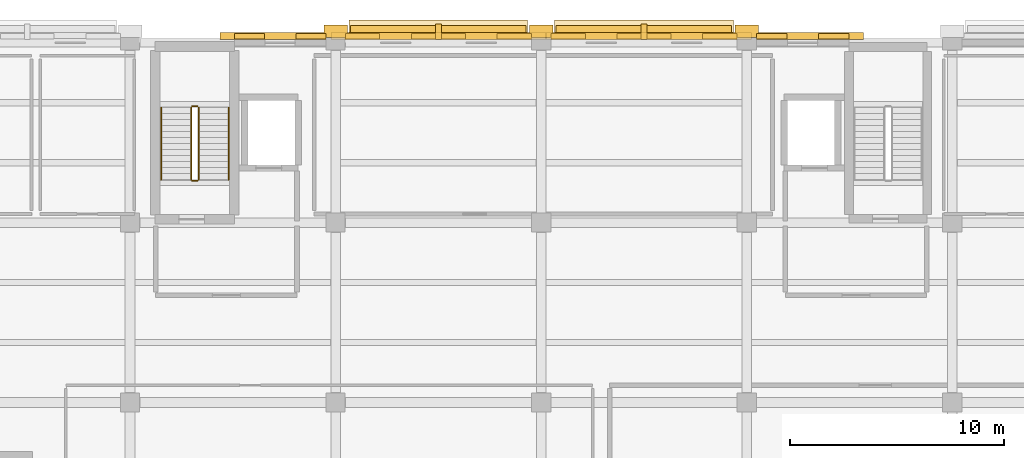
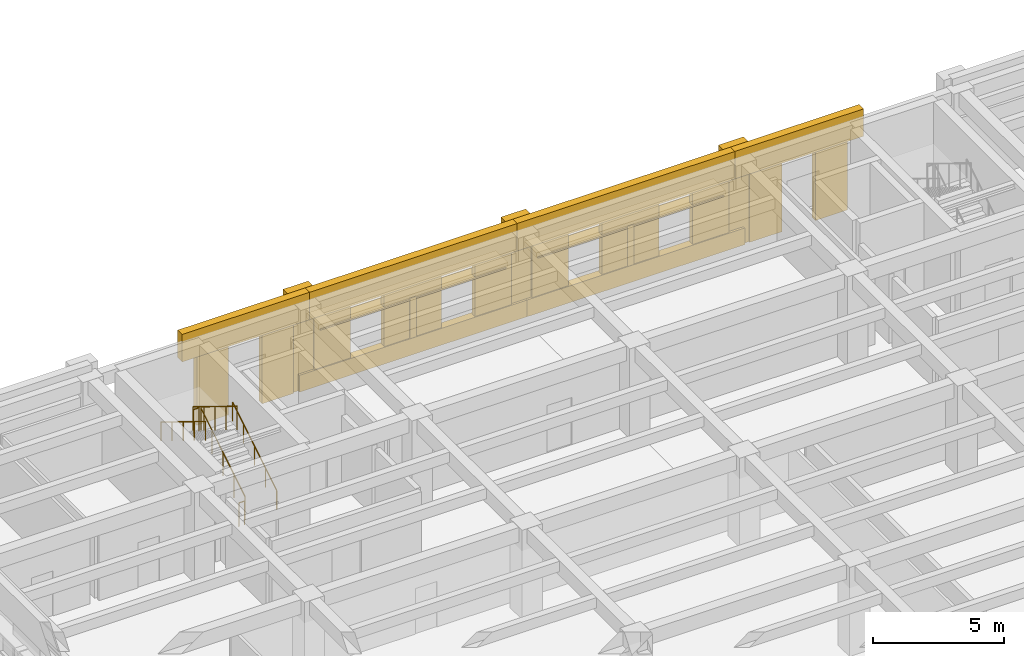
# One storey, part 46 of 49: 23 coverings, 6 railings, 2 shading devices.
"""IFC4 building model written with IfcOpenShell, lengths in metres."""

import ifcopenshell
import ifcopenshell.guid

model = None  # the IFC model being written
_history = None  # IfcOwnerHistory: only IFC2X3 demands one
_inside = {}  # id of a spatial element -> (the spatial element, [elements in it])
_under = {}  # id of a project, library or spatial element -> (it, [spatial elements below it])
_declared = {}  # id of a project -> (the project, [libraries it declares])
_typed = {}  # id of a type object -> (the type object, [elements of that type])
_made_of = {}  # id of a material, layer set ... -> (it, [elements and type objects made of it])


def new_model(schema):
    """Start an empty IFC model of exactly this schema.

    Asked for "IFC4X3", IfcOpenShell would pick the latest addendum, in which some entities
    have other attributes; the version numbers below select the first issue.
    IFC2X3 requires an IfcOwnerHistory on every rooted entity: one is made here for all.
    """
    global model, _history
    if schema == "IFC4X3":
        model = ifcopenshell.file(schema_version=(4, 3, 0, 0))
    else:
        model = ifcopenshell.file(schema=schema)
    _inside.clear()
    _under.clear()
    _declared.clear()
    _typed.clear()
    _made_of.clear()
    _history = None
    if model.schema == "IFC2X3":
        org = make("IfcOrganization", Name="unknown")
        user = make(
            "IfcPersonAndOrganization",
            ThePerson=make("IfcPerson", FamilyName="unknown"),
            TheOrganization=org,
        )
        app = make(
            "IfcApplication",
            ApplicationDeveloper=org,
            Version="unknown",
            ApplicationFullName="unknown",
            ApplicationIdentifier="unknown",
        )
        _history = make(
            "IfcOwnerHistory",
            OwningUser=user,
            OwningApplication=app,
            ChangeAction="ADDED",
            CreationDate=0,
        )
    return model


def make(cls, **values):
    """One entity of the class cls with the attributes given. An attribute that is None is left unset."""
    return model.create_entity(
        cls, **{name: value for name, value in values.items() if value is not None}
    )


def rooted(cls, **values):
    """An entity with a GlobalId (a new one), such as an element, a storey or a relation."""
    return make(cls, GlobalId=ifcopenshell.guid.new(), OwnerHistory=_history, **values)


def si_unit(unit_type, name, prefix=None):
    """IfcSIUnit, for example si_unit("LENGTHUNIT", "METRE", prefix="MILLI")."""
    return make("IfcSIUnit", UnitType=unit_type, Prefix=prefix, Name=name)


def assignment(units):
    """IfcUnitAssignment: the units of a project."""
    return None if units is None else make("IfcUnitAssignment", Units=units)


def point(xyz):
    """IfcCartesianPoint."""
    return None if xyz is None else make("IfcCartesianPoint", Coordinates=xyz)


def direction(xyz):
    """IfcDirection."""
    return None if xyz is None else make("IfcDirection", DirectionRatios=xyz)


def frame(location, z_axis=None, x_axis=None):
    """IfcAxis2Placement3D, a coordinate frame: its origin and axes. An axis left out is left unset."""
    return make(
        "IfcAxis2Placement3D",
        Location=point(location),
        Axis=direction(z_axis),
        RefDirection=direction(x_axis),
    )


def frame_2d(location, x_axis=None):
    """IfcAxis2Placement2D, a coordinate frame in the plane: its origin and x axis."""
    return make(
        "IfcAxis2Placement2D", Location=point(location), RefDirection=direction(x_axis)
    )


def origin():
    """The frame at (0, 0, 0) with its axes left unset."""
    return frame((0.0, 0.0, 0.0))


def origin_2d():
    """The frame at (0, 0) in the plane with its x axis left unset."""
    return frame_2d((0.0, 0.0))


def place(relative_to, where):
    """IfcLocalPlacement: puts the frame where relative to a parent placement (None: the world)."""
    return make(
        "IfcLocalPlacement", PlacementRelTo=relative_to, RelativePlacement=where
    )


def context(
    kind, dimensions, precision=None, world=None, true_north=None, identifier=None
):
    """IfcGeometricRepresentationContext, for example the 3D "Model" context."""
    return make(
        "IfcGeometricRepresentationContext",
        ContextIdentifier=identifier,
        ContextType=kind,
        CoordinateSpaceDimension=dimensions,
        Precision=precision,
        WorldCoordinateSystem=world,
        TrueNorth=true_north,
    )


def subcontext(parent, identifier, kind, view, scale=None):
    """IfcGeometricRepresentationSubContext, for example "Body" below "Model"."""
    return make(
        "IfcGeometricRepresentationSubContext",
        ContextIdentifier=identifier,
        ContextType=kind,
        ParentContext=parent,
        TargetScale=scale,
        TargetView=view,
    )


def project(units=None, contexts=None):
    """IfcProject with its units and contexts."""
    return rooted(
        "IfcProject",
        Name="project",
        RepresentationContexts=contexts,
        UnitsInContext=assignment(units),
    )


def spatial(cls, under=None, at=None, **own):
    """A site, building, storey or space (cls), placed at a placement, below another one or the project."""
    s = rooted(cls, ObjectPlacement=at, **own)
    if under is not None:
        _under.setdefault(under.id(), (under, []))[1].append(s)
    return s


def profile(cls, at=None, kind="AREA", **sizes):
    """A parametric profile (cls). Its sizes go by their IFC names, for example OverallWidth=200.0."""
    return make(cls, ProfileType=kind, Position=at, **sizes)


def rectangle(**sizes):
    """IfcRectangleProfileDef."""
    return profile("IfcRectangleProfileDef", **sizes)


def circle(**sizes):
    """IfcCircleProfileDef."""
    return profile("IfcCircleProfileDef", **sizes)


def extrude(swept, where, along, depth):
    """IfcExtrudedAreaSolid: the profile swept, set in the frame where, extruded along a direction by depth."""
    return make(
        "IfcExtrudedAreaSolid",
        SweptArea=swept,
        Position=where,
        ExtrudedDirection=direction(along),
        Depth=depth,
    )


def shape(context_of_items, identifier, shape_type, items):
    """IfcShapeRepresentation: the items that make up one representation, for example the "Body"."""
    return make(
        "IfcShapeRepresentation",
        ContextOfItems=context_of_items,
        RepresentationIdentifier=identifier,
        RepresentationType=shape_type,
        Items=items,
    )


def material(Name=None, Category=None):
    """IfcMaterial."""
    return make("IfcMaterial", Name=Name, Category=Category)


def layer(
    of_material, thickness, ventilated=None, Name=None, Category=None, Priority=None
):
    """IfcMaterialLayer: one layer of a wall or slab, of a material (None: an air gap)."""
    return make(
        "IfcMaterialLayer",
        Material=of_material,
        LayerThickness=thickness,
        IsVentilated=ventilated,
        Name=Name,
        Category=Category,
        Priority=Priority,
    )


def layer_set(layers, Name=None):
    """IfcMaterialLayerSet."""
    return make("IfcMaterialLayerSet", MaterialLayers=layers, LayerSetName=Name)


def made_of(thing, what):
    """Note that an element or type object is made of a material, layer set ...; save() writes the relation."""
    if what is not None:
        _made_of.setdefault(what.id(), (what, []))[1].append(thing)
    return thing


def type_object(cls, material=None, **own):
    """A type object (cls), such as IfcWallType, which elements share."""
    return made_of(rooted(cls, **own), material)


def element(
    cls,
    number,
    at=None,
    inside=None,
    cuts=None,
    type_object=None,
    material=None,
    context=None,
    identifier="Body",
    shape_type=None,
    held_by="IfcProductDefinitionShape",
    body=None,
    shapes=None,
    **own,
):
    """One element of the class cls, such as IfcWall. Its Tag is "e" and its number.

    at: its placement. inside: the storey or other place that contains it. cuts: it is an
    opening in that element (IfcRelVoidsElement). A single representation is given by context,
    identifier, shape_type and body (its items); several are given by shapes. held_by: the class
    of the entity that holds the representations. save() writes the other relations.
    """
    e = rooted(cls, Tag="e%d" % number, ObjectPlacement=at, **own)
    if body is not None:
        shapes = [shape(context, identifier, shape_type, body)]
    if shapes is not None:
        e.Representation = make(held_by, Representations=shapes)
    if inside is not None:
        _inside.setdefault(inside.id(), (inside, []))[1].append(e)
    if cuts is not None:
        rooted(
            "IfcRelVoidsElement", RelatingBuildingElement=cuts, RelatedOpeningElement=e
        )
    if type_object is not None:
        _typed.setdefault(type_object.id(), (type_object, []))[1].append(e)
    return made_of(e, material)


def aggregate(whole, parts):
    """IfcRelAggregates: a whole, such as a stair, and the parts it consists of."""
    return rooted("IfcRelAggregates", RelatingObject=whole, RelatedObjects=parts)


def save(model, path):
    """Write the relations noted so far, then the file.

    IfcRelAggregates (storeys below a building ...), IfcRelContainedInSpatialStructure (elements
    in a storey), IfcRelDefinesByType, IfcRelAssociatesMaterial and IfcRelDeclares: one each for
    every whole, place, type object, material and project.
    """
    for whole, parts in _under.values():
        aggregate(whole, parts)
    for where, things in _inside.values():
        rooted(
            "IfcRelContainedInSpatialStructure",
            RelatedElements=things,
            RelatingStructure=where,
        )
    for kind, things in _typed.values():
        rooted("IfcRelDefinesByType", RelatedObjects=things, RelatingType=kind)
    for what, things in _made_of.values():
        rooted("IfcRelAssociatesMaterial", RelatedObjects=things, RelatingMaterial=what)
    for by, libraries in _declared.values():
        rooted("IfcRelDeclares", RelatingContext=by, RelatedDefinitions=libraries)
    model.write(path)


model = new_model("IFC4")

# Units and contexts
model_context = context("Model", 3, precision=1e-05, world=origin(), true_north=direction((0.0, 1.0)))
body_context = subcontext(model_context, "Body", "Model", "MODEL_VIEW")
ifc_project = project(units=[si_unit("LENGTHUNIT", "METRE"), si_unit("AREAUNIT", "SQUARE_METRE"), si_unit("VOLUMEUNIT", "CUBIC_METRE"), si_unit("PLANEANGLEUNIT", "RADIAN"), si_unit("MASSUNIT", "GRAM", prefix="KILO")], contexts=[model_context])

# Site, building, storey
site_placement = place(None, origin())
site = spatial("IfcSite", under=ifc_project, at=site_placement, CompositionType="ELEMENT")
building_placement = place(site_placement, origin())
building = spatial("IfcBuilding", under=site, at=building_placement, Name="Bempovik Park Faculty of Sciences", CompositionType="ELEMENT")
storey_placement = place(building_placement, frame((0.0, 0.0, 5.39990234375)))
storey = spatial("IfcBuildingStorey", under=building, at=storey_placement, Name="L01", CompositionType="ELEMENT", Elevation=5.39990234375)

# Coverings
ifc_material_1 = material(Name="Precast concrete C40/50", Category="concrete")
ifc_layer_1 = layer(ifc_material_1, 0.179931640625)
ifc_layer_set_1 = layer_set([ifc_layer_1], Name="Precast concrete C40/50")
covering_type_1 = type_object("IfcCoveringType", Name="CL-02 Classical Cornice Band 180mm", PredefinedType="CLADDING", material=ifc_layer_set_1)
for number, where, z_axis, x_axis, name in (
    (1, (84.0, 120.0, 2.6103515625), (0.0, 0.0, 1.0), (1.0, 0.0, 0.0), "L01 Classical Stone Solar Window Hood EW-L01-6685"),
    (2, (93.60009765625, 120.0, 2.6103515625), (0.0, 0.0, 1.0), (1.0, 0.0, 0.0), "L01 Classical Stone Solar Window Hood EW-L01-6697"),
):
    element("IfcCovering", number, at=place(storey_placement, frame(where, z_axis=z_axis, x_axis=x_axis)), inside=storey, type_object=covering_type_1, Name=name, PredefinedType="CLADDING", context=body_context, shape_type="SweptSolid", body=[
        extrude(rectangle(XDim=8.345947265625, YDim=0.919921875, at=origin_2d()), origin(), (0.0, 0.0, 1.0), 0.219970703125),
    ])
ifc_material_2 = material(Name="White reconstituted limestone precast C40/50", Category="masonry")
ifc_layer_2 = layer(ifc_material_2, 0.239990234375)
ifc_layer_set_2 = layer_set([ifc_layer_2], Name="White reconstituted limestone precast C40/50")
covering_type_2 = type_object("IfcCoveringType", Name="CL-03 Classical Fluted Limestone Pilaster 240mm", PredefinedType="CLADDING", material=ifc_layer_set_2)
covering_1_placement = place(storey_placement, frame((76.612060546875, 119.7099609375, 3.22021484375), z_axis=(0.0, 0.0, 1.0), x_axis=(1.0, 0.0, 0.0)))
element("IfcCovering", 3, at=covering_1_placement, inside=storey, type_object=covering_type_2, Name="L01 Classical Limestone Spandrel Entablature EW-L01-6679", PredefinedType="CLADDING", context=body_context, shape_type="SweptSolid", body=[
    extrude(rectangle(XDim=5.6220703125, YDim=0.340087890625, at=origin_2d()), origin(), (0.0, 0.0, 1.0), 1.280029296875),
])
covering_2_placement = place(storey_placement, frame((79.199951171875, 119.929931640625, 0.0), z_axis=(0.0, 0.0, 1.0), x_axis=(1.0, 0.0, 0.0)))
element("IfcCovering", 4, at=covering_2_placement, inside=storey, type_object=covering_type_2, Name="L01 Classical Fluted Stone Pilaster PIL-BA-L01-792-1199", PredefinedType="CLADDING", context=body_context, shape_type="SweptSolid", body=[
    extrude(rectangle(XDim=1.10009765625, YDim=0.580078125, at=origin_2d()), origin(), (0.0, 0.0, 1.0), 4.5),
])
for number, where, z_axis, x_axis, name in (
    (5, (75.174072265625, 119.699951171875, 0.000244140625), (0.0, 0.0, 1.0), (1.0, 0.0, 0.0), "L01 Stairwell White Limestone Cheek EW-L01-6679-1"),
    (6, (78.050048828125, 119.699951171875, 0.000244140625), (0.0, 0.0, 1.0), (1.0, 0.0, 0.0), "L01 Stairwell White Limestone Cheek EW-L01-6679-2"),
):
    element("IfcCovering", number, at=place(storey_placement, frame(where, z_axis=z_axis, x_axis=x_axis)), inside=storey, type_object=covering_type_2, Name=name, PredefinedType="CLADDING", context=body_context, shape_type="SweptSolid", body=[
        extrude(rectangle(XDim=1.39599609375, YDim=0.239990234375, at=origin_2d()), origin(), (0.0, 0.0, 1.0), 3.3798828125),
    ])
covering_3_placement = place(storey_placement, frame((84.0, 119.7099609375, 3.22021484375), z_axis=(0.0, 0.0, 1.0), x_axis=(1.0, 0.0, 0.0)))
element("IfcCovering", 7, at=covering_3_placement, inside=storey, type_object=covering_type_2, Name="L01 Classical Limestone Spandrel Entablature EW-L01-6685", PredefinedType="CLADDING", context=body_context, shape_type="SweptSolid", body=[
    extrude(rectangle(XDim=10.0458984375, YDim=0.340087890625, at=origin_2d()), origin(), (0.0, 0.0, 1.0), 1.280029296875),
])
covering_4_placement = place(storey_placement, frame((84.0, 119.7099609375, 0.0), z_axis=(0.0, 0.0, 1.0), x_axis=(1.0, 0.0, 0.0)))
element("IfcCovering", 8, at=covering_4_placement, inside=storey, type_object=covering_type_2, Name="L01 Classical Limestone Sill Dado EW-L01-6685", PredefinedType="CLADDING", context=body_context, shape_type="SweptSolid", body=[
    extrude(rectangle(XDim=10.0458984375, YDim=0.340087890625, at=origin_2d()), origin(), (0.0, 0.0, 1.0), 0.780029296875),
])
covering_5_placement = place(storey_placement, frame((88.800048828125, 119.929931640625, 0.0), z_axis=(0.0, 0.0, 1.0), x_axis=(1.0, 0.0, 0.0)))
element("IfcCovering", 9, at=covering_5_placement, inside=storey, type_object=covering_type_2, Name="L01 Classical Fluted Stone Pilaster PIL-BA-L01-888-1199", PredefinedType="CLADDING", context=body_context, shape_type="SweptSolid", body=[
    extrude(rectangle(XDim=1.10009765625, YDim=0.580078125, at=origin_2d()), origin(), (0.0, 0.0, 1.0), 4.5),
])
covering_6_placement = place(storey_placement, frame((80.4560546875, 119.699951171875, 0.000244140625), z_axis=(0.0, 0.0, 1.0), x_axis=(1.0, 0.0, 0.0)))
element("IfcCovering", 10, at=covering_6_placement, inside=storey, type_object=covering_type_2, Name="L01 White Limestone Wall Cheek EW-L01-6685-0", PredefinedType="CLADDING", context=body_context, shape_type="SweptSolid", body=[
    extrude(rectangle(XDim=1.60791015625, YDim=0.239990234375, at=origin_2d()), origin(), (0.0, 0.0, 1.0), 3.3798828125),
])
covering_7_placement = place(storey_placement, frame((84.0, 119.699951171875, 0.000244140625), z_axis=(0.0, 0.0, 1.0), x_axis=(1.0, 0.0, 0.0)))
element("IfcCovering", 11, at=covering_7_placement, inside=storey, type_object=covering_type_2, Name="L01 White Limestone Wall Cheek EW-L01-6685-2", PredefinedType="CLADDING", context=body_context, shape_type="SweptSolid", body=[
    extrude(rectangle(XDim=2.520263671875, YDim=0.239990234375, at=origin_2d()), origin(), (0.0, 0.0, 1.0), 3.3798828125),
])
covering_8_placement = place(storey_placement, frame((87.5439453125, 119.699951171875, 0.000244140625), z_axis=(0.0, 0.0, 1.0), x_axis=(1.0, 0.0, 0.0)))
element("IfcCovering", 12, at=covering_8_placement, inside=storey, type_object=covering_type_2, Name="L01 White Limestone Wall Cheek EW-L01-6685-4", PredefinedType="CLADDING", context=body_context, shape_type="SweptSolid", body=[
    extrude(rectangle(XDim=1.60791015625, YDim=0.239990234375, at=origin_2d()), origin(), (0.0, 0.0, 1.0), 3.3798828125),
])
covering_9_placement = place(storey_placement, frame((84.0, 119.909912109375, 0.7001953125), z_axis=(0.0, 0.0, 1.0), x_axis=(1.0, 0.0, 0.0)))
element("IfcCovering", 13, at=covering_9_placement, inside=storey, type_object=covering_type_2, Name="L01 Classical Vertical Stone Shading Fin EW-L01-6685", PredefinedType="CLADDING", context=body_context, shape_type="SweptSolid", body=[
    extrude(rectangle(XDim=0.280029296875, YDim=0.719970703125, at=origin_2d()), origin(), (0.0, 0.0, 1.0), 1.949951171875),
])
covering_10_placement = place(storey_placement, frame((93.60009765625, 119.7099609375, 3.22021484375), z_axis=(0.0, 0.0, 1.0), x_axis=(1.0, 0.0, 0.0)))
element("IfcCovering", 14, at=covering_10_placement, inside=storey, type_object=covering_type_2, Name="L01 Classical Limestone Spandrel Entablature EW-L01-6697", PredefinedType="CLADDING", context=body_context, shape_type="SweptSolid", body=[
    extrude(rectangle(XDim=10.0458984375, YDim=0.340087890625, at=origin_2d()), origin(), (0.0, 0.0, 1.0), 1.280029296875),
])
covering_11_placement = place(storey_placement, frame((93.60009765625, 119.7099609375, 0.0), z_axis=(0.0, 0.0, 1.0), x_axis=(1.0, 0.0, 0.0)))
element("IfcCovering", 15, at=covering_11_placement, inside=storey, type_object=covering_type_2, Name="L01 Classical Limestone Sill Dado EW-L01-6697", PredefinedType="CLADDING", context=body_context, shape_type="SweptSolid", body=[
    extrude(rectangle(XDim=10.0458984375, YDim=0.340087890625, at=origin_2d()), origin(), (0.0, 0.0, 1.0), 0.780029296875),
])
covering_12_placement = place(storey_placement, frame((98.39990234375, 119.929931640625, 0.0), z_axis=(0.0, 0.0, 1.0), x_axis=(1.0, 0.0, 0.0)))
element("IfcCovering", 16, at=covering_12_placement, inside=storey, type_object=covering_type_2, Name="L01 Classical Fluted Stone Pilaster PIL-BA-L01-984-1199", PredefinedType="CLADDING", context=body_context, shape_type="SweptSolid", body=[
    extrude(rectangle(XDim=1.10009765625, YDim=0.580078125, at=origin_2d()), origin(), (0.0, 0.0, 1.0), 4.5),
])
covering_13_placement = place(storey_placement, frame((90.055908203125, 119.699951171875, 0.000244140625), z_axis=(0.0, 0.0, 1.0), x_axis=(1.0, 0.0, 0.0)))
element("IfcCovering", 17, at=covering_13_placement, inside=storey, type_object=covering_type_2, Name="L01 White Limestone Wall Cheek EW-L01-6697-0", PredefinedType="CLADDING", context=body_context, shape_type="SweptSolid", body=[
    extrude(rectangle(XDim=1.60791015625, YDim=0.239990234375, at=origin_2d()), origin(), (0.0, 0.0, 1.0), 3.3798828125),
])
covering_14_placement = place(storey_placement, frame((93.60009765625, 119.699951171875, 0.000244140625), z_axis=(0.0, 0.0, 1.0), x_axis=(1.0, 0.0, 0.0)))
element("IfcCovering", 18, at=covering_14_placement, inside=storey, type_object=covering_type_2, Name="L01 White Limestone Wall Cheek EW-L01-6697-2", PredefinedType="CLADDING", context=body_context, shape_type="SweptSolid", body=[
    extrude(rectangle(XDim=2.520263671875, YDim=0.239990234375, at=origin_2d()), origin(), (0.0, 0.0, 1.0), 3.3798828125),
])
covering_15_placement = place(storey_placement, frame((97.14404296875, 119.699951171875, 0.000244140625), z_axis=(0.0, 0.0, 1.0), x_axis=(1.0, 0.0, 0.0)))
element("IfcCovering", 19, at=covering_15_placement, inside=storey, type_object=covering_type_2, Name="L01 White Limestone Wall Cheek EW-L01-6697-4", PredefinedType="CLADDING", context=body_context, shape_type="SweptSolid", body=[
    extrude(rectangle(XDim=1.60791015625, YDim=0.239990234375, at=origin_2d()), origin(), (0.0, 0.0, 1.0), 3.3798828125),
])
covering_16_placement = place(storey_placement, frame((93.60009765625, 119.909912109375, 0.7001953125), z_axis=(0.0, 0.0, 1.0), x_axis=(1.0, 0.0, 0.0)))
element("IfcCovering", 20, at=covering_16_placement, inside=storey, type_object=covering_type_2, Name="L01 Classical Vertical Stone Shading Fin EW-L01-6697", PredefinedType="CLADDING", context=body_context, shape_type="SweptSolid", body=[
    extrude(rectangle(XDim=0.280029296875, YDim=0.719970703125, at=origin_2d()), origin(), (0.0, 0.0, 1.0), 1.949951171875),
])
covering_17_placement = place(storey_placement, frame((101.012939453125, 119.7099609375, 3.22021484375), z_axis=(0.0, 0.0, 1.0), x_axis=(1.0, 0.0, 0.0)))
element("IfcCovering", 21, at=covering_17_placement, inside=storey, type_object=covering_type_2, Name="L01 Classical Limestone Spandrel Entablature EW-L01-6709", PredefinedType="CLADDING", context=body_context, shape_type="SweptSolid", body=[
    extrude(rectangle(XDim=5.672119140625, YDim=0.340087890625, at=origin_2d()), origin(), (0.0, 0.0, 1.0), 1.280029296875),
])
for number, where, z_axis, x_axis, name in (
    (22, (99.5625, 119.699951171875, 0.000244140625), (0.0, 0.0, 1.0), (1.0, 0.0, 0.0), "L01 Stairwell White Limestone Cheek EW-L01-6709-1"),
    (23, (102.46337890625, 119.699951171875, 0.000244140625), (0.0, 0.0, 1.0), (1.0, 0.0, 0.0), "L01 Stairwell White Limestone Cheek EW-L01-6709-2"),
):
    element("IfcCovering", number, at=place(storey_placement, frame(where, z_axis=z_axis, x_axis=x_axis)), inside=storey, type_object=covering_type_2, Name=name, PredefinedType="CLADDING", context=body_context, shape_type="SweptSolid", body=[
        extrude(rectangle(XDim=1.4208984375, YDim=0.239990234375, at=origin_2d()), origin(), (0.0, 0.0, 1.0), 3.3798828125),
    ])

# Railings
ifc_material_3 = material(Name="Anodised architectural bronze")
railing_type_1 = type_object("IfcRailingType", Name="GR-01 Guardrail 1120mm", PredefinedType="GUARDRAIL", material=ifc_material_3)
railing_1_placement = place(storey_placement, frame((72.800048828125, 113.0, 0.173095703125)))
element("IfcRailing", 24, at=railing_1_placement, inside=storey, type_object=railing_type_1, Name="L01 ST-1 Stair Guard 1", PredefinedType="GUARDRAIL", context=body_context, shape_type="SweptSolid", body=[
    extrude(circle(Radius=0.02392578125, at=origin_2d()), frame((0.0, 0.0, 1.09619140625), z_axis=(0.0, 0.851660431972, 0.524093988338), x_axis=(-1.0, 0.0, 0.0)), (0.0, 0.0, 1.0), 3.962890625),
    extrude(circle(Radius=0.02099609375, at=origin_2d()), origin(), (0.0, 0.0, 1.0), 1.072021484375),
    extrude(circle(Radius=0.02099609375, at=origin_2d()), frame((0.0, 0.84375, 0.519287109375)), (0.0, 0.0, 1.0), 1.072021484375),
    extrude(circle(Radius=0.02099609375, at=origin_2d()), frame((0.0, 1.6875, 1.03857421875)), (0.0, 0.0, 1.0), 1.072021484375),
    extrude(circle(Radius=0.02099609375, at=origin_2d()), frame((0.0, 2.53125, 1.5576171875)), (0.0, 0.0, 1.0), 1.072021484375),
    extrude(circle(Radius=0.02099609375, at=origin_2d()), frame((0.0, 3.375, 2.076904296875)), (0.0, 0.0, 1.0), 1.072021484375),
])
railing_2_placement = place(storey_placement, frame((72.75, 116.425048828125, 2.25)))
element("IfcRailing", 25, at=railing_2_placement, inside=storey, type_object=railing_type_1, Name="L01 ST-1 Stair Guard 2", PredefinedType="GUARDRAIL", context=body_context, shape_type="SweptSolid", body=[
    extrude(circle(Radius=0.02392578125, at=origin_2d()), frame((0.0, 0.0, 1.09619140625), z_axis=(-1.0, 0.0, 0.0), x_axis=(0.0, -1.0, 0.0)), (0.0, 0.0, 1.0), 0.25),
    extrude(circle(Radius=0.02099609375, at=origin_2d()), origin(), (0.0, 0.0, 1.0), 1.072021484375),
    extrude(circle(Radius=0.02099609375, at=origin_2d()), frame((-0.25, 0.0, 0.0)), (0.0, 0.0, 1.0), 1.072021484375),
])
railing_3_placement = place(storey_placement, frame((72.449951171875, 116.375, 2.423095703125)))
element("IfcRailing", 26, at=railing_3_placement, inside=storey, type_object=railing_type_1, Name="L01 ST-1 Stair Guard 3", PredefinedType="GUARDRAIL", context=body_context, shape_type="SweptSolid", body=[
    extrude(circle(Radius=0.02392578125, at=origin_2d()), frame((0.0, 0.0, 1.09619140625), z_axis=(0.0, -0.851660431972, 0.524093988338), x_axis=(1.0, 0.0, 0.0)), (0.0, 0.0, 1.0), 3.962890625),
    extrude(circle(Radius=0.02099609375, at=origin_2d()), origin(), (0.0, 0.0, 1.0), 1.072021484375),
    extrude(circle(Radius=0.02099609375, at=origin_2d()), frame((0.0, -0.84375, 0.519287109375)), (0.0, 0.0, 1.0), 1.072021484375),
    extrude(circle(Radius=0.02099609375, at=origin_2d()), frame((0.0, -1.6875, 1.03857421875)), (0.0, 0.0, 1.0), 1.072021484375),
    extrude(circle(Radius=0.02099609375, at=origin_2d()), frame((0.0, -2.53125, 1.5576171875)), (0.0, 0.0, 1.0), 1.072021484375),
    extrude(circle(Radius=0.02099609375, at=origin_2d()), frame((0.0, -3.375, 2.076904296875)), (0.0, 0.0, 1.0), 1.072021484375),
])
railing_4_placement = place(storey_placement, frame((72.75, 112.949951171875, 0.0)))
element("IfcRailing", 27, at=railing_4_placement, inside=storey, type_object=railing_type_1, Name="L01 ST-1 Stair Guard 4", PredefinedType="GUARDRAIL", context=body_context, shape_type="SweptSolid", body=[
    extrude(circle(Radius=0.02392578125, at=origin_2d()), frame((0.0, 0.0, 1.09619140625), z_axis=(-1.0, 0.0, 0.0), x_axis=(0.0, -1.0, 0.0)), (0.0, 0.0, 1.0), 0.25),
    extrude(circle(Radius=0.02099609375, at=origin_2d()), origin(), (0.0, 0.0, 1.0), 1.072021484375),
    extrude(circle(Radius=0.02099609375, at=origin_2d()), frame((-0.25, 0.0, 0.0)), (0.0, 0.0, 1.0), 1.072021484375),
])
railing_type_2 = type_object("IfcRailingType", Name="HR-01 Wall Handrail 900mm", PredefinedType="HANDRAIL", material=ifc_material_3)
railing_5_placement = place(storey_placement, frame((74.199951171875, 113.0, 0.173095703125)))
element("IfcRailing", 28, at=railing_5_placement, inside=storey, type_object=railing_type_2, Name="L01 ST-1 Stair Handrail 1", PredefinedType="HANDRAIL", context=body_context, shape_type="SweptSolid", body=[
    extrude(circle(Radius=0.02392578125, at=origin_2d()), frame((0.0, 0.0, 0.8759765625), z_axis=(0.0, 0.851660431972, 0.524093988338), x_axis=(-1.0, 0.0, 0.0)), (0.0, 0.0, 1.0), 3.962890625),
    extrude(circle(Radius=0.02099609375, at=origin_2d()), origin(), (0.0, 0.0, 1.0), 0.851806640625),
    extrude(circle(Radius=0.02099609375, at=origin_2d()), frame((0.0, 0.84375, 0.519287109375)), (0.0, 0.0, 1.0), 0.851806640625),
    extrude(circle(Radius=0.02099609375, at=origin_2d()), frame((0.0, 1.6875, 1.03857421875)), (0.0, 0.0, 1.0), 0.851806640625),
    extrude(circle(Radius=0.02099609375, at=origin_2d()), frame((0.0, 2.53125, 1.5576171875)), (0.0, 0.0, 1.0), 0.851806640625),
    extrude(circle(Radius=0.02099609375, at=origin_2d()), frame((0.0, 3.375, 2.076904296875)), (0.0, 0.0, 1.0), 0.851806640625),
])
railing_6_placement = place(storey_placement, frame((71.050048828125, 116.375, 2.423095703125)))
element("IfcRailing", 29, at=railing_6_placement, inside=storey, type_object=railing_type_2, Name="L01 ST-1 Stair Handrail 2", PredefinedType="HANDRAIL", context=body_context, shape_type="SweptSolid", body=[
    extrude(circle(Radius=0.02392578125, at=origin_2d()), frame((0.0, 0.0, 0.8759765625), z_axis=(0.0, -0.851660431972, 0.524093988338), x_axis=(1.0, 0.0, 0.0)), (0.0, 0.0, 1.0), 3.962890625),
    extrude(circle(Radius=0.02099609375, at=origin_2d()), origin(), (0.0, 0.0, 1.0), 0.851806640625),
    extrude(circle(Radius=0.02099609375, at=origin_2d()), frame((0.0, -0.84375, 0.519287109375)), (0.0, 0.0, 1.0), 0.851806640625),
    extrude(circle(Radius=0.02099609375, at=origin_2d()), frame((0.0, -1.6875, 1.03857421875)), (0.0, 0.0, 1.0), 0.851806640625),
    extrude(circle(Radius=0.02099609375, at=origin_2d()), frame((0.0, -2.53125, 1.5576171875)), (0.0, 0.0, 1.0), 0.851806640625),
    extrude(circle(Radius=0.02099609375, at=origin_2d()), frame((0.0, -3.375, 2.076904296875)), (0.0, 0.0, 1.0), 0.851806640625),
])

# Shading devices
ifc_layer_3 = layer(ifc_material_3, 0.06005859375)
ifc_layer_set_3 = layer_set([ifc_layer_3], Name="Anodised architectural bronze")
shading_device_type = type_object("IfcShadingDeviceType", Name="SH-01 Bronze Brise-Soleil Fin", PredefinedType="USERDEFINED", material=ifc_layer_set_3)
for number, where, z_axis, x_axis, name in (
    (30, (84.0, 119.8798828125, 2.550048828125), (0.0, 0.0, 1.0), (1.0, 0.0, 0.0), "L01 Equatorial Bronze Brise-Soleil EW-L01-6685"),
    (31, (93.60009765625, 119.8798828125, 2.550048828125), (0.0, 0.0, 1.0), (1.0, 0.0, 0.0), "L01 Equatorial Bronze Brise-Soleil EW-L01-6697"),
):
    element("IfcShadingDevice", number, at=place(storey_placement, frame(where, z_axis=z_axis, x_axis=x_axis)), inside=storey, type_object=shading_device_type, Name=name, ObjectType="BRISE SOLEIL", PredefinedType="USERDEFINED", context=body_context, shape_type="SweptSolid", body=[
        extrude(rectangle(XDim=8.196044921875, YDim=0.64990234375, at=origin_2d()), origin(), (0.0, 0.0, 1.0), 0.06005859375),
    ])

save(model, "model.ifc")
